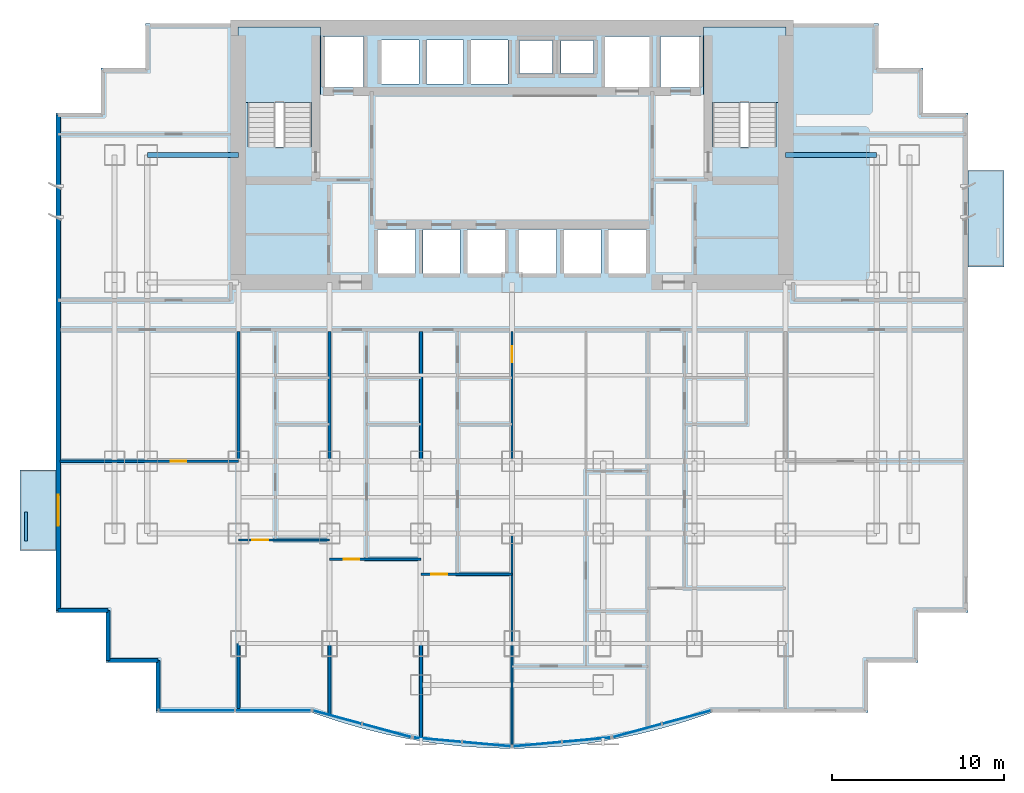
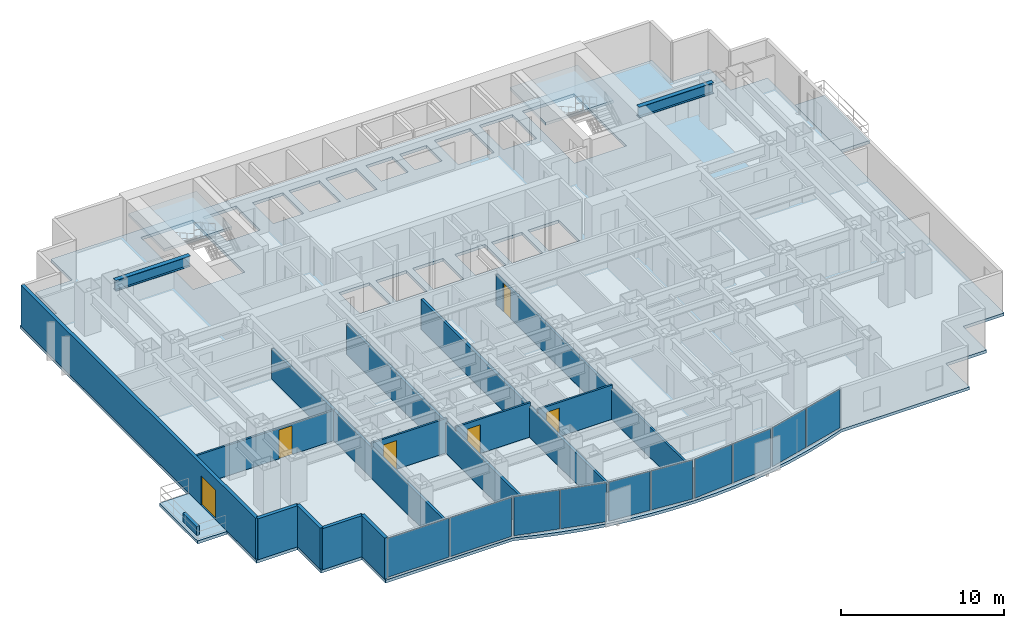
# One storey, part 4 of 10: 14 walls, 10 plates, 6 doors, 5 slabs, 2 beams, 6 openings, 7 elements without a shape of their own.
"""IFC4 building model written with IfcOpenShell, lengths in metres."""

from ifc_helpers import new_model, si_unit, direction, frame, frame_2d, origin, origin_2d, place, context, subcontext, project, spatial, polyline, rectangle, i_section, outline, extrude, source, transform, mapped, material, layer, layer_set, material_profile, profile_set, type_object, element, fill, aggregate, save


model = new_model("IFC4")

# Units and contexts
model_context = context("Model", 3, precision=1e-05, world=origin(), true_north=direction((0.0, 1.0)))
body_context = subcontext(model_context, "Body", "Model", "MODEL_VIEW")
ifc_project = project(units=[si_unit("LENGTHUNIT", "METRE"), si_unit("AREAUNIT", "SQUARE_METRE"), si_unit("VOLUMEUNIT", "CUBIC_METRE"), si_unit("PLANEANGLEUNIT", "RADIAN"), si_unit("MASSUNIT", "GRAM", prefix="KILO")], contexts=[model_context])

# Site, building, storey
site_placement = place(None, origin())
site = spatial("IfcSite", under=ifc_project, at=site_placement, CompositionType="ELEMENT")
building_placement = place(site_placement, origin())
building = spatial("IfcBuilding", under=site, at=building_placement, Name="Qianlan Lanfeng Residences", CompositionType="ELEMENT")
storey_placement = place(building_placement, frame((0.0, 0.0, 37.39990234375)))
storey = spatial("IfcBuildingStorey", under=building, at=storey_placement, Name="L09", CompositionType="ELEMENT", Elevation=37.39990234375)

# Beams
ifc_material_1 = material(Name="Steel SN490B", Category="steel")
ifc_material_profile = material_profile(ifc_material_1, i_section(OverallWidth=0.300048828125, OverallDepth=0.800048828125, WebThickness=0.01611328125, FlangeThickness=0.028076171875, at=origin_2d()), Name="H 800x300x16x28")
ifc_profile_set = profile_set([ifc_material_profile], Name="Steel SN490B")
beam_type = type_object("IfcBeamType", Name="G-950", PredefinedType="BEAM", material=ifc_profile_set)
for number, where, z_axis, x_axis, name in (
    (1, (5.300048828125, 32.60009765625, 2.68017578125), (1.0, 0.0, 0.0), (0.0, 1.0, 0.0), "Structural beam G-950"),
    (2, (42.39990234375, 32.60009765625, 2.68017578125), (1.0, 0.0, 0.0), (0.0, 1.0, 0.0), "Structural beam G-950"),
):
    element("IfcBeam", number, at=place(storey_placement, frame(where, z_axis=z_axis, x_axis=x_axis)), inside=storey, type_object=beam_type, Name=name, PredefinedType="BEAM", context=body_context, shape_type="SweptSolid", body=[
        extrude(i_section(OverallWidth=0.300048828125, OverallDepth=0.800048828125, WebThickness=0.01611328125, FlangeThickness=0.028076171875, at=origin_2d()), origin(), (0.0, 0.0, 1.0), 5.300048828125),
    ])

# Slabs
ifc_material_2 = material(Name="Concrete C42", Category="concrete")
ifc_layer_1 = layer(ifc_material_2, 0.219970703125)
ifc_layer_set_1 = layer_set([ifc_layer_1], Name="Concrete C42")
slab_type_1 = type_object("IfcSlabType", Name="S-BAL-220", PredefinedType="FLOOR", material=ifc_layer_set_1)
slab_1_placement = place(storey_placement, frame((0.0, 0.0, -0.219970703125)))
element("IfcSlab", 3, at=slab_1_placement, inside=storey, type_object=slab_type_1, Name="L09 Planted Tree Balcony Slab WB-S", PredefinedType="FLOOR", context=body_context, shape_type="SweptSolid", body=[
    extrude(outline(polyline([(0.0, 9.60009765625), (0.0, 14.300048828125), (-2.10009765625, 14.300048828125), (-2.10009765625, 9.60009765625), (0.0, 9.60009765625)])), origin(), (0.0, 0.0, 1.0), 0.219970703125),
])
slab_2_placement = place(storey_placement, frame((0.0, 0.0, -0.219970703125)))
element("IfcSlab", 4, at=slab_2_placement, inside=storey, type_object=slab_type_1, Name="L09 Planted Tree Balcony Slab EB-N", PredefinedType="FLOOR", context=body_context, shape_type="SweptSolid", body=[
    extrude(outline(polyline([(53.0, 31.699951171875), (53.0, 26.10009765625), (55.10009765625, 26.10009765625), (55.10009765625, 31.699951171875), (53.0, 31.699951171875)])), origin(), (0.0, 0.0, 1.0), 0.219970703125),
])
ifc_layer_2 = layer(ifc_material_2, 0.219970703125)
ifc_layer_set_2 = layer_set([ifc_layer_2], Name="Concrete C42")
slab_type_2 = type_object("IfcSlabType", Name="S-FL-220", PredefinedType="FLOOR", material=ifc_layer_set_2)
slab_3_placement = place(storey_placement, frame((0.0, 0.0, -0.219970703125)))
element("IfcSlab", 5, at=slab_3_placement, inside=storey, type_object=slab_type_2, Name="L09 Structural Floor Slab", PredefinedType="FLOOR", context=body_context, shape_type="SweptSolid", body=[
    extrude(outline(polyline([(0.0, 6.0), (2.89990234375, 6.0), (2.89990234375, 3.10009765625), (5.800048828125, 3.10009765625), (5.800048828125, 0.199951171875), (14.85009765625, 0.199951171875), (16.305908203125, -0.2919921875), (17.761962890625, -0.718994140625), (19.218994140625, -1.080078125), (20.675048828125, -1.375), (22.131103515625, -1.60498046875), (23.5869140625, -1.76904296875), (25.0439453125, -1.866943359375), (26.5, -1.89990234375), (27.9560546875, -1.866943359375), (29.412109375, -1.76904296875), (30.868896484375, -1.60498046875), (32.324951171875, -1.375), (33.781005859375, -1.080078125), (35.237060546875, -0.718994140625), (36.694091796875, -0.2919921875), (38.14990234375, 0.199951171875), (47.199951171875, 0.199951171875), (47.199951171875, 3.10009765625), (50.10009765625, 3.10009765625), (50.10009765625, 6.0), (53.0, 6.0), (53.0, 35.050048828125), (50.39990234375, 35.050048828125), (50.39990234375, 37.64990234375), (47.800048828125, 37.64990234375), (47.800048828125, 40.25), (5.199951171875, 40.25), (5.199951171875, 37.64990234375), (2.60009765625, 37.64990234375), (2.60009765625, 35.050048828125), (0.0, 35.050048828125), (0.0, 6.0)]), holes=[polyline([(11.139892578125, 33.080078125), (11.139892578125, 39.5), (14.820068359375, 39.5), (14.820068359375, 33.080078125), (11.139892578125, 33.080078125)]), polyline([(38.179931640625, 33.080078125), (38.179931640625, 39.5), (41.860107421875, 39.5), (41.860107421875, 33.080078125), (38.179931640625, 33.080078125)]), polyline([(15.52001953125, 36.52001953125), (15.52001953125, 39.47998046875), (17.8798828125, 39.47998046875), (17.8798828125, 36.52001953125), (15.52001953125, 36.52001953125)]), polyline([(35.1201171875, 36.52001953125), (35.1201171875, 39.47998046875), (37.47998046875, 39.47998046875), (37.47998046875, 36.52001953125), (35.1201171875, 36.52001953125)]), polyline([(31.919921875, 36.52001953125), (31.919921875, 39.47998046875), (34.47998046875, 39.47998046875), (34.47998046875, 36.52001953125), (31.919921875, 36.52001953125)]), polyline([(18.719970703125, 25.719970703125), (18.719970703125, 28.280029296875), (20.8798828125, 28.280029296875), (20.8798828125, 25.719970703125), (18.719970703125, 25.719970703125)]), polyline([(21.320068359375, 25.719970703125), (21.320068359375, 28.280029296875), (23.47998046875, 28.280029296875), (23.47998046875, 25.719970703125), (21.320068359375, 25.719970703125)]), polyline([(23.919921875, 25.719970703125), (23.919921875, 28.280029296875), (26.080078125, 28.280029296875), (26.080078125, 25.719970703125), (23.919921875, 25.719970703125)]), polyline([(26.919921875, 25.719970703125), (26.919921875, 28.280029296875), (29.080078125, 28.280029296875), (29.080078125, 25.719970703125), (26.919921875, 25.719970703125)]), polyline([(29.52001953125, 25.719970703125), (29.52001953125, 28.280029296875), (31.679931640625, 28.280029296875), (31.679931640625, 25.719970703125), (29.52001953125, 25.719970703125)]), polyline([(32.1201171875, 25.719970703125), (32.1201171875, 28.280029296875), (34.280029296875, 28.280029296875), (34.280029296875, 25.719970703125), (32.1201171875, 25.719970703125)]), polyline([(18.919921875, 36.719970703125), (18.919921875, 39.280029296875), (21.080078125, 39.280029296875), (21.080078125, 36.719970703125), (18.919921875, 36.719970703125)]), polyline([(21.52001953125, 36.719970703125), (21.52001953125, 39.280029296875), (23.679931640625, 39.280029296875), (23.679931640625, 36.719970703125), (21.52001953125, 36.719970703125)]), polyline([(24.1201171875, 36.719970703125), (24.1201171875, 39.280029296875), (26.280029296875, 39.280029296875), (26.280029296875, 36.719970703125), (24.1201171875, 36.719970703125)]), polyline([(26.949951171875, 37.35009765625), (26.949951171875, 39.25), (28.85009765625, 39.25), (28.85009765625, 37.35009765625), (26.949951171875, 37.35009765625)]), polyline([(29.35009765625, 37.35009765625), (29.35009765625, 39.25), (31.25, 39.25), (31.25, 37.35009765625), (29.35009765625, 37.35009765625)])]), origin(), (0.0, 0.0, 1.0), 0.219970703125),
])

# Stair, slab
stair_type = type_object("IfcStairType", Name="STR-MAIN", PredefinedType="HALF_TURN_STAIR", material=ifc_material_2)
stair_1_placement = place(storey_placement, origin())
stair_1 = element("IfcStair", 6, at=stair_1_placement, inside=storey, type_object=stair_type, Name="L09 Exit Stair ST-1", PredefinedType="HALF_TURN_STAIR")
ifc_layer_3 = layer(ifc_material_2, 0.179931640625)
ifc_layer_set_3 = layer_set([ifc_layer_3], Name="Concrete C42")
slab_type_3 = type_object("IfcSlabType", Name="S-LND-180", PredefinedType="LANDING", material=ifc_layer_set_3)
slab_4_placement = place(storey_placement, frame((0.0, 0.0, 1.4501953125)))
slab_4 = element("IfcSlab", 7, at=slab_4_placement, type_object=slab_type_3, Name="ST-1 landing 1", PredefinedType="LANDING", context=body_context, shape_type="SweptSolid", body=[
    extrude(outline(polyline([(10.580078125, 35.659912109375), (15.3798828125, 35.659912109375), (15.3798828125, 40.050048828125), (10.580078125, 40.050048828125), (10.580078125, 35.659912109375)])), origin(), (0.0, 0.0, 1.0), 0.199951171875),
])
aggregate(stair_1, [slab_4])

stair_2_placement = place(storey_placement, origin())
stair_2 = element("IfcStair", 8, at=stair_2_placement, inside=storey, type_object=stair_type, Name="L09 Exit Stair ST-2", PredefinedType="HALF_TURN_STAIR")
slab_5_placement = place(storey_placement, frame((0.0, 0.0, 1.4501953125)))
slab_5 = element("IfcSlab", 9, at=slab_5_placement, type_object=slab_type_3, Name="ST-2 landing 1", PredefinedType="LANDING", context=body_context, shape_type="SweptSolid", body=[
    extrude(outline(polyline([(37.6201171875, 35.659912109375), (42.419921875, 35.659912109375), (42.419921875, 40.050048828125), (37.6201171875, 40.050048828125), (37.6201171875, 35.659912109375)])), origin(), (0.0, 0.0, 1.0), 0.199951171875),
])
aggregate(stair_2, [slab_5])

# Curtain wall, plate
ifc_material_3 = material(Name="Anodised Bronze Aluminium 6063-T6", Category="aluminium")
ifc_layer_4 = layer(ifc_material_3, 0.219970703125)
ifc_layer_set_4 = layer_set([ifc_layer_4], Name="Anodised Bronze Aluminium 6063-T6")
curtain_wall_type = type_object("IfcCurtainWallType", Name="CW-02", PredefinedType="NOTDEFINED", material=ifc_layer_set_4)
curtain_wall_1_placement = place(storey_placement, origin())
curtain_wall_1 = element("IfcCurtainWall", 10, at=curtain_wall_1_placement, inside=storey, type_object=curtain_wall_type, Name="L09 Unitised Curtain Wall CWR-L09-04 (CW-02)", PredefinedType="NOTDEFINED")
ifc_material_4 = material(Name="Perforated Anodised Bronze Aluminium Panel", Category="aluminium")
ifc_layer_5 = layer(ifc_material_4, 0.0419921875)
ifc_layer_set_5 = layer_set([ifc_layer_5], Name="Perforated Anodised Bronze Aluminium Panel")
plate_type_1 = type_object("IfcPlateType", Name="PNL-PRF-BRZ", PredefinedType="CURTAIN_PANEL", material=ifc_layer_set_5)
shared_shape_1 = source(origin(), body_context, "Body", "SweptSolid", [
    extrude(rectangle(XDim=2.795654296875, YDim=0.0419921875, at=origin_2d()), origin(), (0.0, 0.0, 1.0), 2.922119140625),
])
plate_1_placement = place(storey_placement, frame((30.8330078125, -1.389404296875, 0.0791015625), z_axis=(0.0, 0.0, 1.0), x_axis=(0.995964677764, 0.089746089862, 0.0)))
plate_1 = element("IfcPlate", 11, at=plate_1_placement, type_object=plate_type_1, Name="CWR-L09-04 Curtain Panel 2", PredefinedType="CURTAIN_PANEL", context=body_context, shape_type="MappedRepresentation", body=[
    mapped(shared_shape_1, transform((0.0, 0.0, 0.0), scale=1.0)),
])

curtain_wall_2_placement = place(storey_placement, origin())
curtain_wall_2 = element("IfcCurtainWall", 12, at=curtain_wall_2_placement, inside=storey, type_object=curtain_wall_type, Name="L09 Unitised Curtain Wall CWR-L09-02 (CW-02)", PredefinedType="NOTDEFINED")
shared_shape_2 = source(origin(), body_context, "Body", "SweptSolid", [
    extrude(rectangle(XDim=2.89990234375, YDim=0.0419921875, at=origin_2d()), origin(), (0.0, 0.0, 1.0), 2.922119140625),
])
plate_2_placement = place(storey_placement, frame((19.22021484375, -0.857421875, 0.0791015625), z_axis=(0.0, 0.0, 1.0), x_axis=(0.9652627173, -0.261281240412, 0.0)))
plate_2 = element("IfcPlate", 13, at=plate_2_placement, type_object=plate_type_1, Name="CWR-L09-02 Curtain Panel 2", PredefinedType="CURTAIN_PANEL", context=body_context, shape_type="MappedRepresentation", body=[
    mapped(shared_shape_2, transform((0.0, 0.0, 0.0), scale=1.0)),
])

# Curtain wall, plates
curtain_wall_3_placement = place(storey_placement, origin())
curtain_wall_3 = element("IfcCurtainWall", 14, at=curtain_wall_3_placement, inside=storey, type_object=curtain_wall_type, Name="L09 Unitised Curtain Wall CWR-L09-01 (CW-02)", PredefinedType="NOTDEFINED")
ifc_material_5 = material(Name="Clear Low-E Insulated Glass", Category="glass")
ifc_layer_6 = layer(ifc_material_5, 0.035888671875)
ifc_layer_set_6 = layer_set([ifc_layer_6], Name="Clear Low-E Insulated Glass")
plate_type_2 = type_object("IfcPlateType", Name="PNL-GLZ-CLR", PredefinedType="CURTAIN_PANEL", material=ifc_layer_set_6)
shared_shape_3 = source(origin(), body_context, "Body", "SweptSolid", [
    extrude(rectangle(XDim=4.35693359375, YDim=0.035888671875, at=origin_2d()), origin(), (0.0, 0.0, 1.0), 2.922119140625),
])
plate_3_placement = place(storey_placement, frame((8.177490234375, 0.320068359375, 0.0791015625), z_axis=(0.0, 0.0, 1.0), x_axis=(1.0, 0.0, 0.0)))
plate_3 = element("IfcPlate", 15, at=plate_3_placement, type_object=plate_type_2, Name="CWR-L09-01 Curtain Panel 1", PredefinedType="CURTAIN_PANEL", context=body_context, shape_type="MappedRepresentation", body=[
    mapped(shared_shape_3, transform((0.0, 0.0, 0.0), scale=1.0)),
])
plate_4_placement = place(storey_placement, frame((12.612548828125, 0.320068359375, 0.0791015625), z_axis=(0.0, 0.0, 1.0), x_axis=(1.0, 0.0, 0.0)))
plate_4 = element("IfcPlate", 16, at=plate_4_placement, type_object=plate_type_2, Name="CWR-L09-01 Curtain Panel 2", PredefinedType="CURTAIN_PANEL", context=body_context, shape_type="MappedRepresentation", body=[
    mapped(shared_shape_3, transform((0.0, 0.0, 0.0), scale=1.0)),
])
aggregate(curtain_wall_3, [plate_3, plate_4])

# Plate
shared_shape_4 = source(origin(), body_context, "Body", "SweptSolid", [
    extrude(rectangle(XDim=2.89990234375, YDim=0.035888671875, at=origin_2d()), origin(), (0.0, 0.0, 1.0), 2.922119140625),
])
plate_5_placement = place(storey_placement, frame((16.345703125, -0.07958984375, 0.0791015625), z_axis=(0.0, 0.0, 1.0), x_axis=(0.9652627173, -0.261281240412, 0.0)))
plate_5 = element("IfcPlate", 17, at=plate_5_placement, type_object=plate_type_2, Name="CWR-L09-02 Curtain Panel 1", PredefinedType="CURTAIN_PANEL", context=body_context, shape_type="MappedRepresentation", body=[
    mapped(shared_shape_4, transform((0.0, 0.0, 0.0), scale=1.0)),
])

aggregate(curtain_wall_2, [plate_5, plate_2])

# Curtain wall, plates
curtain_wall_4_placement = place(storey_placement, origin())
curtain_wall_4 = element("IfcCurtainWall", 18, at=curtain_wall_4_placement, inside=storey, type_object=curtain_wall_type, Name="L09 Unitised Curtain Wall CWR-L09-05 (CW-02)", PredefinedType="NOTDEFINED")
plate_6_placement = place(storey_placement, frame((33.77978515625, -0.857421875, 0.0791015625), z_axis=(0.0, 0.0, 1.0), x_axis=(0.9652627173, 0.261281240412, 0.0)))
plate_6 = element("IfcPlate", 19, at=plate_6_placement, type_object=plate_type_2, Name="CWR-L09-05 Curtain Panel 1", PredefinedType="CURTAIN_PANEL", context=body_context, shape_type="MappedRepresentation", body=[
    mapped(shared_shape_4, transform((0.0, 0.0, 0.0), scale=1.0)),
])
plate_7_placement = place(storey_placement, frame((36.654296875, -0.07958984375, 0.0791015625), z_axis=(0.0, 0.0, 1.0), x_axis=(0.9652627173, 0.261281240412, 0.0)))
plate_7 = element("IfcPlate", 20, at=plate_7_placement, type_object=plate_type_2, Name="CWR-L09-05 Curtain Panel 2", PredefinedType="CURTAIN_PANEL", context=body_context, shape_type="MappedRepresentation", body=[
    mapped(shared_shape_4, transform((0.0, 0.0, 0.0), scale=1.0)),
])
aggregate(curtain_wall_4, [plate_6, plate_7])

# Curtain wall, plate
curtain_wall_5_placement = place(storey_placement, origin())
curtain_wall_5 = element("IfcCurtainWall", 21, at=curtain_wall_5_placement, inside=storey, type_object=curtain_wall_type, Name="L09 Unitised Curtain Wall CWR-L09-03 (CW-02)", PredefinedType="NOTDEFINED")
shared_shape_5 = source(origin(), body_context, "Body", "SweptSolid", [
    extrude(rectangle(XDim=2.7958984375, YDim=0.035888671875, at=origin_2d()), origin(), (0.0, 0.0, 1.0), 2.922119140625),
])
plate_8_placement = place(storey_placement, frame((22.1669921875, -1.389404296875, 0.0791015625), z_axis=(0.0, 0.0, 1.0), x_axis=(0.995964677764, -0.089746089862, 0.0)))
plate_8 = element("IfcPlate", 22, at=plate_8_placement, type_object=plate_type_2, Name="CWR-L09-03 Curtain Panel 1", PredefinedType="CURTAIN_PANEL", context=body_context, shape_type="MappedRepresentation", body=[
    mapped(shared_shape_5, transform((0.0, 0.0, 0.0), scale=1.0)),
])

# Plate
plate_9_placement = place(storey_placement, frame((27.970947265625, -1.6474609375, 0.0791015625), z_axis=(0.0, 0.0, 1.0), x_axis=(0.995964677764, 0.089746089862, 0.0)))
plate_9 = element("IfcPlate", 23, at=plate_9_placement, type_object=plate_type_2, Name="CWR-L09-04 Curtain Panel 1", PredefinedType="CURTAIN_PANEL", context=body_context, shape_type="MappedRepresentation", body=[
    mapped(shared_shape_5, transform((0.0, 0.0, 0.0), scale=1.0)),
])

aggregate(curtain_wall_1, [plate_9, plate_1])

shared_shape_6 = source(origin(), body_context, "Body", "SweptSolid", [
    extrude(rectangle(XDim=2.795654296875, YDim=0.035888671875, at=origin_2d()), origin(), (0.0, 0.0, 1.0), 2.922119140625),
])
plate_10_placement = place(storey_placement, frame((25.029052734375, -1.6474609375, 0.0791015625), z_axis=(0.0, 0.0, 1.0), x_axis=(0.995964677764, -0.089746089862, 0.0)))
plate_10 = element("IfcPlate", 24, at=plate_10_placement, type_object=plate_type_2, Name="CWR-L09-03 Curtain Panel 2", PredefinedType="CURTAIN_PANEL", context=body_context, shape_type="MappedRepresentation", body=[
    mapped(shared_shape_6, transform((0.0, 0.0, 0.0), scale=1.0)),
])

aggregate(curtain_wall_5, [plate_8, plate_10])

# Walls
ifc_layer_7 = layer(ifc_material_2, 0.239990234375)
ifc_layer_set_7 = layer_set([ifc_layer_7], Name="Concrete C42")
wall_type_1 = type_object("IfcWallType", Name="EW-240", PredefinedType="SOLIDWALL", material=ifc_layer_set_7)
wall_1_placement = place(storey_placement, frame((0.1201171875, 6.1201171875, 0.0), z_axis=(0.0, 0.0, 1.0), x_axis=(1.0, 0.0, 0.0)))
element("IfcWall", 25, at=wall_1_placement, inside=storey, type_object=wall_type_1, Name="L09 Exterior Facade Spandrel Wall 1", PredefinedType="SOLIDWALL", context=body_context, shape_type="SweptSolid", body=[
    extrude(rectangle(XDim=2.89990234375, YDim=0.239990234375, at=frame_2d((1.449951171875, 0.0))), origin(), (0.0, 0.0, 1.0), 3.080078125),
])
wall_2_placement = place(storey_placement, frame((3.02001953125, 6.1201171875, 0.0), z_axis=(0.0, 0.0, 1.0), x_axis=(0.0, -1.0, 0.0)))
element("IfcWall", 26, at=wall_2_placement, inside=storey, type_object=wall_type_1, Name="L09 Exterior Facade Spandrel Wall 2", PredefinedType="SOLIDWALL", context=body_context, shape_type="SweptSolid", body=[
    extrude(rectangle(XDim=2.900146484375, YDim=0.239990234375, at=frame_2d((1.4501953125, 0.0))), origin(), (0.0, 0.0, 1.0), 3.080078125),
])
for number, where, z_axis, x_axis, name in (
    (27, (3.02001953125, 3.219970703125, 0.0), (0.0, 0.0, 1.0), (1.0, 0.0, 0.0), "L09 Exterior Facade Spandrel Wall 3"),
    (28, (5.919921875, 3.219970703125, 0.0), (0.0, 0.0, 1.0), (0.0, -1.0, 0.0), "L09 Exterior Facade Spandrel Wall 4"),
):
    element("IfcWall", number, at=place(storey_placement, frame(where, z_axis=z_axis, x_axis=x_axis)), inside=storey, type_object=wall_type_1, Name=name, PredefinedType="SOLIDWALL", context=body_context, shape_type="SweptSolid", body=[
        extrude(rectangle(XDim=2.89990234375, YDim=0.239990234375, at=frame_2d((1.449951171875, 0.0))), origin(), (0.0, 0.0, 1.0), 3.080078125),
    ])

# Wall, opening, door
wall_3_placement = place(storey_placement, frame((0.1201171875, 34.929931640625, 0.0), z_axis=(0.0, 0.0, 1.0), x_axis=(0.0, -1.0, 0.0)))
wall_3 = element("IfcWall", 29, at=wall_3_placement, inside=storey, type_object=wall_type_1, Name="L09 Terrace/Balcony Access Exterior Wall 21", PredefinedType="SOLIDWALL", context=body_context, shape_type="SweptSolid", body=[
    extrude(rectangle(XDim=28.809814453125, YDim=0.239990234375, at=frame_2d((14.40478515625, 0.0))), origin(), (0.0, 0.0, 1.0), 3.080078125),
])
opening_1_placement = place(wall_3_placement, frame((22.080078125, 0.0, 0.0)))
opening_1 = element("IfcOpeningElement", 30, at=opening_1_placement, cuts=wall_3, Name="Opening L09-D-WB-S", PredefinedType="OPENING", context=body_context, shape_type="SweptSolid", body=[
    extrude(rectangle(XDim=1.800048828125, YDim=2.199951171875, at=frame_2d((0.89990234375, 1.10009765625))), frame((0.0, 0.1298828125, 0.0), z_axis=(0.0, -1.0, 0.0), x_axis=(1.0, 0.0, 0.0)), (0.0, 0.0, 1.0), 0.260009765625),
])
ifc_material_6 = material(Name="Anodised Bronze Aluminium Framed Glass", Category="aluminium")
door_type_1 = type_object("IfcDoorType", Name="DT-BAL1", OperationType="NOTDEFINED", PredefinedType="DOOR", material=ifc_material_6)
door_1_placement = place(opening_1_placement, frame((1.800048828125, 0.0, 0.0), z_axis=(0.0, 0.0, 1.0), x_axis=(-1.0, 0.0, 0.0)))
door_1 = element("IfcDoor", 31, at=door_1_placement, inside=storey, type_object=door_type_1, Name="L09 Exterior Access Door WB-S", OperationType="DOUBLE_DOOR_SLIDING", OverallHeight=2.199951171875, OverallWidth=1.800048828125, PredefinedType="DOOR", context=body_context, shape_type="SweptSolid", body=[
    extrude(rectangle(XDim=1.800048828125, YDim=2.199951171875, at=frame_2d((0.89990234375, 1.10009765625))), frame((0.0, 0.02490234375, 0.0), z_axis=(0.0, -1.0, 0.0), x_axis=(1.0, 0.0, 0.0)), (0.0, 0.0, 1.0), 0.050048828125),
])
fill(opening_1, door_1)

# Wall
ifc_layer_8 = layer(ifc_material_2, 0.199951171875)
ifc_layer_set_8 = layer_set([ifc_layer_8], Name="Concrete C42")
wall_type_2 = type_object("IfcWallType", Name="PL-TREE-200", PredefinedType="PARAPET", material=ifc_layer_set_8)
wall_4_placement = place(storey_placement, frame((-1.75, 10.14990234375, 0.0), z_axis=(0.0, 0.0, 1.0), x_axis=(0.0, 1.0, 0.0)))
element("IfcWall", 32, at=wall_4_placement, inside=storey, type_object=wall_type_2, Name="L09 West Tree Planter Curb WB-S", PredefinedType="PARAPET", context=body_context, shape_type="SweptSolid", body=[
    extrude(rectangle(XDim=1.7001953125, YDim=0.199951171875, at=frame_2d((0.85009765625, 0.0))), origin(), (0.0, 0.0, 1.0), 0.650146484375),
])

# Wall, opening, door
ifc_material_7 = material(Name="Moisture-Resistant Gypsum Partition 135 mm")
ifc_layer_9 = layer(ifc_material_7, 0.135009765625)
ifc_layer_set_9 = layer_set([ifc_layer_9], Name="Moisture-Resistant Gypsum Partition 135 mm")
wall_type_3 = type_object("IfcWallType", Name="PW-135", PredefinedType="PARTITIONING", material=ifc_layer_set_9)
wall_5_placement = place(storey_placement, frame((10.60009765625, 10.219970703125, 0.0), z_axis=(0.0, 0.0, 1.0), x_axis=(1.0, 0.0, 0.0)))
wall_5 = element("IfcWall", 33, at=wall_5_placement, inside=storey, type_object=wall_type_3, Name="L09 U01 Living Divider", PredefinedType="PARTITIONING", context=body_context, shape_type="SweptSolid", body=[
    extrude(rectangle(XDim=5.2998046875, YDim=0.135009765625, at=frame_2d((2.64990234375, 0.0))), origin(), (0.0, 0.0, 1.0), 2.570068359375),
])
opening_2_placement = place(wall_5_placement, frame((0.81494140625, 0.0, 0.0)))
opening_2 = element("IfcOpeningElement", 34, at=opening_2_placement, cuts=wall_5, Name="Opening L09-D16", PredefinedType="OPENING", context=body_context, shape_type="SweptSolid", body=[
    extrude(rectangle(XDim=0.919921875, YDim=2.14990234375, at=frame_2d((0.4599609375, 1.074951171875))), frame((0.0, 0.07763671875, 0.0), z_axis=(0.0, -1.0, 0.0), x_axis=(1.0, 0.0, 0.0)), (0.0, 0.0, 1.0), 0.155029296875),
])
ifc_material_8 = material(Name="Glazed Timber Kitchen/Study Door", Category="wood")
door_type_2 = type_object("IfcDoorType", Name="DT-INT", OperationType="NOTDEFINED", PredefinedType="DOOR", material=ifc_material_8)
door_2_placement = place(opening_2_placement, frame((0.919921875, 0.0, 0.0), z_axis=(0.0, 0.0, 1.0), x_axis=(-1.0, 0.0, 0.0)))
door_2 = element("IfcDoor", 35, at=door_2_placement, inside=storey, type_object=door_type_2, Name="L09 U01 Living Passage Door L09-D16 (DT-INT)", OperationType="SINGLE_SWING_LEFT", OverallHeight=2.14990234375, OverallWidth=0.919921875, PredefinedType="DOOR", context=body_context, shape_type="SweptSolid", body=[
    extrude(rectangle(XDim=0.919921875, YDim=2.14990234375, at=frame_2d((0.4599609375, 1.074951171875))), frame((0.0, 0.02490234375, 0.0), z_axis=(0.0, -1.0, 0.0), x_axis=(1.0, 0.0, 0.0)), (0.0, 0.0, 1.0), 0.050048828125),
])
fill(opening_2, door_2)

wall_6_placement = place(storey_placement, frame((15.89990234375, 9.112060546875, 0.0), z_axis=(0.0, 0.0, 1.0), x_axis=(1.0, 0.0, 0.0)))
wall_6 = element("IfcWall", 36, at=wall_6_placement, inside=storey, type_object=wall_type_3, Name="L09 U02 Living Divider", PredefinedType="PARTITIONING", context=body_context, shape_type="SweptSolid", body=[
    extrude(rectangle(XDim=5.300048828125, YDim=0.135009765625, at=frame_2d((2.64990234375, 0.0))), origin(), (0.0, 0.0, 1.0), 2.570068359375),
])
opening_3_placement = place(wall_6_placement, frame((0.81494140625, 0.0, 0.0)))
opening_3 = element("IfcOpeningElement", 37, at=opening_3_placement, cuts=wall_6, Name="Opening L09-D21", PredefinedType="OPENING", context=body_context, shape_type="SweptSolid", body=[
    extrude(rectangle(XDim=0.919921875, YDim=2.14990234375, at=frame_2d((0.4599609375, 1.074951171875))), frame((0.0, 0.07763671875, 0.0), z_axis=(0.0, -1.0, 0.0), x_axis=(1.0, 0.0, 0.0)), (0.0, 0.0, 1.0), 0.155029296875),
])
door_3_placement = place(opening_3_placement, origin())
door_3 = element("IfcDoor", 38, at=door_3_placement, inside=storey, type_object=door_type_2, Name="L09 U02 Living Passage Door L09-D21 (DT-INT)", OperationType="SINGLE_SWING_LEFT", OverallHeight=2.14990234375, OverallWidth=0.919921875, PredefinedType="DOOR", context=body_context, shape_type="SweptSolid", body=[
    extrude(rectangle(XDim=0.919921875, YDim=2.14990234375, at=frame_2d((0.4599609375, 1.074951171875))), frame((0.0, 0.02490234375, 0.0), z_axis=(0.0, -1.0, 0.0), x_axis=(1.0, 0.0, 0.0)), (0.0, 0.0, 1.0), 0.050048828125),
])
fill(opening_3, door_3)

wall_7_placement = place(storey_placement, frame((26.5, -1.679931640625, 0.0), z_axis=(0.0, 0.0, 1.0), x_axis=(0.0, 1.0, 0.0)))
wall_7 = element("IfcWall", 39, at=wall_7_placement, inside=storey, type_object=wall_type_3, Name="L09 U03 Bay Spine Wall 1", PredefinedType="PARTITIONING", context=body_context, shape_type="SweptSolid", body=[
    extrude(rectangle(XDim=24.030029296875, YDim=0.135009765625, at=frame_2d((12.01513671875, 0.0))), origin(), (0.0, 0.0, 1.0), 2.275146484375),
])
opening_4_placement = place(wall_7_placement, frame((22.2451171875, 0.0, 0.0)))
opening_4 = element("IfcOpeningElement", 40, at=opening_4_placement, cuts=wall_7, Name="Opening L09-D26", PredefinedType="OPENING", context=body_context, shape_type="SweptSolid", body=[
    extrude(rectangle(XDim=0.919921875, YDim=2.14990234375, at=frame_2d((0.4599609375, 1.074951171875))), frame((0.0, 0.07763671875, 0.0), z_axis=(0.0, -1.0, 0.0), x_axis=(1.0, 0.0, 0.0)), (0.0, 0.0, 1.0), 0.155029296875),
])
door_4_placement = place(opening_4_placement, origin())
door_4 = element("IfcDoor", 41, at=door_4_placement, inside=storey, type_object=door_type_2, Name="L09 U03 Internal Hall Door L09-D26 (DT-INT)", OperationType="SINGLE_SWING_RIGHT", OverallHeight=2.14990234375, OverallWidth=0.919921875, PredefinedType="DOOR", context=body_context, shape_type="SweptSolid", body=[
    extrude(rectangle(XDim=0.919921875, YDim=2.14990234375, at=frame_2d((0.4599609375, 1.074951171875))), frame((0.0, 0.02490234375, 0.0), z_axis=(0.0, -1.0, 0.0), x_axis=(1.0, 0.0, 0.0)), (0.0, 0.0, 1.0), 0.050048828125),
])
fill(opening_4, door_4)

wall_8_placement = place(storey_placement, frame((21.199951171875, 8.23388671875, 0.0), z_axis=(0.0, 0.0, 1.0), x_axis=(1.0, 0.0, 0.0)))
wall_8 = element("IfcWall", 42, at=wall_8_placement, inside=storey, type_object=wall_type_3, Name="L09 U03 Living Divider", PredefinedType="PARTITIONING", context=body_context, shape_type="SweptSolid", body=[
    extrude(rectangle(XDim=5.300048828125, YDim=0.135009765625, at=frame_2d((2.64990234375, 0.0))), origin(), (0.0, 0.0, 1.0), 2.570068359375),
])
opening_5_placement = place(wall_8_placement, frame((0.614990234375, 0.0, 0.0)))
opening_5 = element("IfcOpeningElement", 43, at=opening_5_placement, cuts=wall_8, Name="Opening L09-D27", PredefinedType="OPENING", context=body_context, shape_type="SweptSolid", body=[
    extrude(rectangle(XDim=0.919921875, YDim=2.14990234375, at=frame_2d((0.4599609375, 1.074951171875))), frame((0.0, 0.07763671875, 0.0), z_axis=(0.0, -1.0, 0.0), x_axis=(1.0, 0.0, 0.0)), (0.0, 0.0, 1.0), 0.155029296875),
])
door_5_placement = place(opening_5_placement, frame((0.919921875, 0.0, 0.0), z_axis=(0.0, 0.0, 1.0), x_axis=(-1.0, 0.0, 0.0)))
door_5 = element("IfcDoor", 44, at=door_5_placement, inside=storey, type_object=door_type_2, Name="L09 U03 Living Passage Door L09-D27 (DT-INT)", OperationType="SINGLE_SWING_RIGHT", OverallHeight=2.14990234375, OverallWidth=0.919921875, PredefinedType="DOOR", context=body_context, shape_type="SweptSolid", body=[
    extrude(rectangle(XDim=0.919921875, YDim=2.14990234375, at=frame_2d((0.4599609375, 1.074951171875))), frame((0.0, 0.02490234375, 0.0), z_axis=(0.0, -1.0, 0.0), x_axis=(1.0, 0.0, 0.0)), (0.0, 0.0, 1.0), 0.050048828125),
])
fill(opening_5, door_5)

wall_9_placement = place(storey_placement, frame((0.219970703125, 14.800048828125, 0.0), z_axis=(0.0, 0.0, 1.0), x_axis=(1.0, 0.0, 0.0)))
wall_9 = element("IfcWall", 45, at=wall_9_placement, inside=storey, type_object=wall_type_3, Name="L09 SWP Mid Partition", PredefinedType="PARTITIONING", context=body_context, shape_type="SweptSolid", body=[
    extrude(rectangle(XDim=10.380126953125, YDim=0.135009765625, at=frame_2d((5.18994140625, 0.0))), origin(), (0.0, 0.0, 1.0), 2.275146484375),
])
opening_6_placement = place(wall_9_placement, frame((6.429931640625, 0.0, 0.0)))
opening_6 = element("IfcOpeningElement", 46, at=opening_6_placement, cuts=wall_9, Name="Opening L09-D40", PredefinedType="OPENING", context=body_context, shape_type="SweptSolid", body=[
    extrude(rectangle(XDim=0.919921875, YDim=2.14990234375, at=frame_2d((0.4599609375, 1.074951171875))), frame((0.0, 0.07763671875, 0.0), z_axis=(0.0, -1.0, 0.0), x_axis=(1.0, 0.0, 0.0)), (0.0, 0.0, 1.0), 0.155029296875),
])
door_6_placement = place(opening_6_placement, origin())
door_6 = element("IfcDoor", 47, at=door_6_placement, inside=storey, type_object=door_type_2, Name="L09 SWP Inner Door L09-D40 (DT-INT)", OperationType="SINGLE_SWING_RIGHT", OverallHeight=2.14990234375, OverallWidth=0.919921875, PredefinedType="DOOR", context=body_context, shape_type="SweptSolid", body=[
    extrude(rectangle(XDim=0.919921875, YDim=2.14990234375, at=frame_2d((0.4599609375, 1.074951171875))), frame((0.0, 0.02490234375, 0.0), z_axis=(0.0, -1.0, 0.0), x_axis=(1.0, 0.0, 0.0)), (0.0, 0.0, 1.0), 0.050048828125),
])
fill(opening_6, door_6)

# Walls
ifc_material_9 = material(Name="Double-Layer Acoustic Gypsum Stud Wall 180 mm")
ifc_layer_10 = layer(ifc_material_9, 0.179931640625)
ifc_layer_set_10 = layer_set([ifc_layer_10], Name="Double-Layer Acoustic Gypsum Stud Wall 180 mm")
wall_type_4 = type_object("IfcWallType", Name="PW-180", PredefinedType="PARTITIONING", material=ifc_layer_set_10)
wall_10_placement = place(storey_placement, frame((10.60009765625, 0.419921875, 0.0), z_axis=(0.0, 0.0, 1.0), x_axis=(0.0, 1.0, 0.0)))
element("IfcWall", 48, at=wall_10_placement, inside=storey, type_object=wall_type_4, Name="L09 Wing Boundary Party Wall W0", PredefinedType="PARTITIONING", context=body_context, shape_type="SweptSolid", body=[
    extrude(rectangle(XDim=21.93017578125, YDim=0.179931640625, at=frame_2d((10.965087890625, 0.0))), origin(), (0.0, 0.0, 1.0), 2.275146484375),
])
wall_11_placement = place(storey_placement, frame((15.89990234375, 0.076904296875, 0.0), z_axis=(0.0, 0.0, 1.0), x_axis=(0.0, 1.0, 0.0)))
element("IfcWall", 49, at=wall_11_placement, inside=storey, type_object=wall_type_4, Name="L09 Inter-Tenancy Party Wall 2", PredefinedType="PARTITIONING", context=body_context, shape_type="SweptSolid", body=[
    extrude(rectangle(XDim=22.273193359375, YDim=0.179931640625, at=frame_2d((11.13671875, 0.0))), origin(), (0.0, 0.0, 1.0), 2.275146484375),
])
wall_12_placement = place(storey_placement, frame((21.199951171875, -1.235107421875, 0.0), z_axis=(0.0, 0.0, 1.0), x_axis=(0.0, 1.0, 0.0)))
element("IfcWall", 50, at=wall_12_placement, inside=storey, type_object=wall_type_4, Name="L09 Inter-Tenancy Party Wall 3", PredefinedType="PARTITIONING", context=body_context, shape_type="SweptSolid", body=[
    extrude(rectangle(XDim=23.585205078125, YDim=0.179931640625, at=frame_2d((11.79248046875, 0.0))), origin(), (0.0, 0.0, 1.0), 2.275146484375),
])

save(model, "model.ifc")
